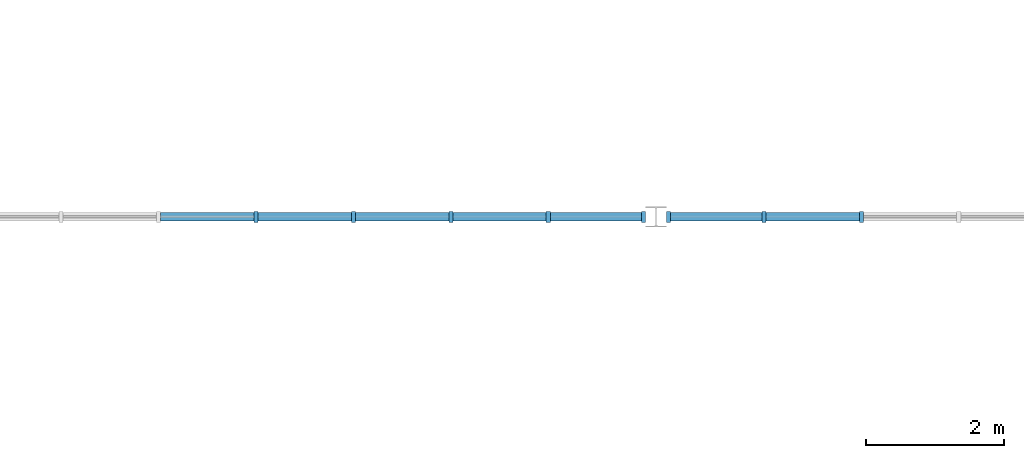
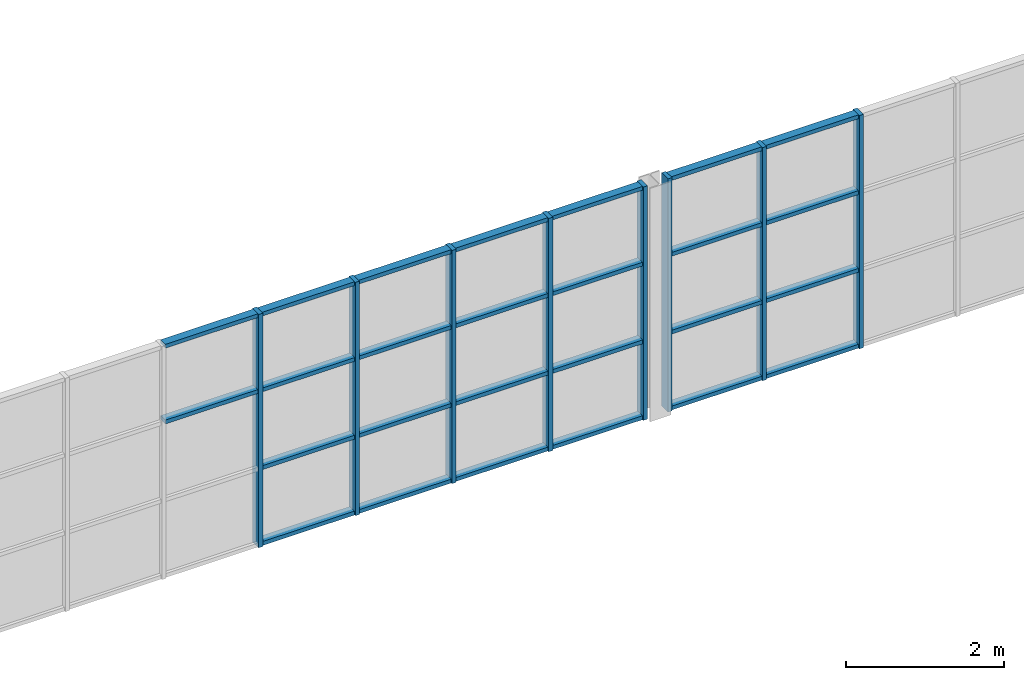
# One storey, part 8 of 70: 34 members, 2 elements without a shape of their own.
"""IFC4 building model written with IfcOpenShell, lengths in metres."""

from ifc_helpers import new_model, si_unit, direction, frame, origin, origin_2d, place, context, subcontext, project, spatial, rectangle, extrude, material, material_profile, profile_set, type_object, element, aggregate, save


model = new_model("IFC4")

# Units and contexts
model_context = context("Model", 3, precision=1e-05, world=origin(), true_north=direction((0.0, 1.0)))
body_context = subcontext(model_context, "Body", "Model", "MODEL_VIEW")
ifc_project = project(units=[si_unit("LENGTHUNIT", "METRE"), si_unit("AREAUNIT", "SQUARE_METRE"), si_unit("VOLUMEUNIT", "CUBIC_METRE"), si_unit("PLANEANGLEUNIT", "RADIAN"), si_unit("MASSUNIT", "GRAM", prefix="KILO")], contexts=[model_context])

# Site, building, storey
site_placement = place(None, origin())
site = spatial("IfcSite", under=ifc_project, at=site_placement, CompositionType="ELEMENT")
building_placement = place(site_placement, origin())
building = spatial("IfcBuilding", under=site, at=building_placement, Name="Elbe Cascade School", CompositionType="ELEMENT")
storey_placement = place(building_placement, frame((0.0, 0.0, 8.10009765625)))
storey = spatial("IfcBuildingStorey", under=building, at=storey_placement, Name="L02", CompositionType="ELEMENT", Elevation=8.10009765625)

# Curtain wall, members
ifc_material_1 = material(Name="Glass - double glazed low-E", Category="glass")
curtain_wall_type = type_object("IfcCurtainWallType", Name="Hall gable curtain wall", PredefinedType="NOTDEFINED", material=ifc_material_1)
curtain_wall_1_placement = place(storey_placement, origin())
curtain_wall_1 = element("IfcCurtainWall", 1, at=curtain_wall_1_placement, inside=storey, type_object=curtain_wall_type, Name="Gable curtain wall S2", PredefinedType="NOTDEFINED")
ifc_material_2 = material(Name="Aluminium - bronze anodised", Category="aluminium")
ifc_material_profile_1 = material_profile(ifc_material_2, rectangle(XDim=0.159912109375, YDim=0.06005859375, at=origin_2d()), Name="Alu 60x160")
ifc_profile_set_1 = profile_set([ifc_material_profile_1], Name="Aluminium - bronze anodised")
member_type_1 = type_object("IfcMemberType", Name="Hall gable mullion 60x160", PredefinedType="MULLION", material=ifc_profile_set_1)
member_1_placement = place(storey_placement, frame((28.20556640625, 41.300048828125, 0.0), z_axis=(0.0, 0.0, 1.0), x_axis=(0.0, 1.0, 0.0)))
member_1 = element("IfcMember", 2, at=member_1_placement, type_object=member_type_1, Name="CW6 mullion 6", PredefinedType="MULLION", context=body_context, shape_type="SweptSolid", body=[
    extrude(rectangle(XDim=0.159912109375, YDim=0.06005859375, at=origin_2d()), origin(), (0.0, 0.0, 1.0), 3.599853515625),
])
member_2_placement = place(storey_placement, frame((29.61669921875, 41.300048828125, 0.0), z_axis=(0.0, 0.0, 1.0), x_axis=(0.0, 1.0, 0.0)))
member_2 = element("IfcMember", 3, at=member_2_placement, type_object=member_type_1, Name="CW6 mullion 7", PredefinedType="MULLION", context=body_context, shape_type="SweptSolid", body=[
    extrude(rectangle(XDim=0.159912109375, YDim=0.06005859375, at=origin_2d()), origin(), (0.0, 0.0, 1.0), 3.599853515625),
])
member_3_placement = place(storey_placement, frame((31.02783203125, 41.300048828125, 0.0), z_axis=(0.0, 0.0, 1.0), x_axis=(0.0, 1.0, 0.0)))
member_3 = element("IfcMember", 4, at=member_3_placement, type_object=member_type_1, Name="CW6 mullion 8", PredefinedType="MULLION", context=body_context, shape_type="SweptSolid", body=[
    extrude(rectangle(XDim=0.159912109375, YDim=0.06005859375, at=origin_2d()), origin(), (0.0, 0.0, 1.0), 3.599853515625),
])
member_4_placement = place(storey_placement, frame((32.43896484375, 41.300048828125, 0.0), z_axis=(0.0, 0.0, 1.0), x_axis=(0.0, 1.0, 0.0)))
member_4 = element("IfcMember", 5, at=member_4_placement, type_object=member_type_1, Name="CW6 mullion 9", PredefinedType="MULLION", context=body_context, shape_type="SweptSolid", body=[
    extrude(rectangle(XDim=0.159912109375, YDim=0.06005859375, at=origin_2d()), origin(), (0.0, 0.0, 1.0), 3.599853515625),
])
member_5_placement = place(storey_placement, frame((33.820068359375, 41.300048828125, 0.0), z_axis=(0.0, 0.0, 1.0), x_axis=(0.0, 1.0, 0.0)))
member_5 = element("IfcMember", 6, at=member_5_placement, type_object=member_type_1, Name="CW6 mullion 10", PredefinedType="MULLION", context=body_context, shape_type="SweptSolid", body=[
    extrude(rectangle(XDim=0.159912109375, YDim=0.06005859375, at=origin_2d()), origin(), (0.0, 0.0, 1.0), 3.599853515625),
])

curtain_wall_2_placement = place(storey_placement, origin())
curtain_wall_2 = element("IfcCurtainWall", 7, at=curtain_wall_2_placement, inside=storey, type_object=curtain_wall_type, Name="Gable curtain wall S3", PredefinedType="NOTDEFINED")
member_6_placement = place(storey_placement, frame((34.179931640625, 41.300048828125, 0.0), z_axis=(0.0, 0.0, 1.0), x_axis=(0.0, 1.0, 0.0)))
member_6 = element("IfcMember", 8, at=member_6_placement, type_object=member_type_1, Name="CW6 mullion 1", PredefinedType="MULLION", context=body_context, shape_type="SweptSolid", body=[
    extrude(rectangle(XDim=0.159912109375, YDim=0.06005859375, at=origin_2d()), origin(), (0.0, 0.0, 1.0), 3.599853515625),
])
member_7_placement = place(storey_placement, frame((35.56103515625, 41.300048828125, 0.0), z_axis=(0.0, 0.0, 1.0), x_axis=(0.0, 1.0, 0.0)))
member_7 = element("IfcMember", 9, at=member_7_placement, type_object=member_type_1, Name="CW6 mullion 2", PredefinedType="MULLION", context=body_context, shape_type="SweptSolid", body=[
    extrude(rectangle(XDim=0.159912109375, YDim=0.06005859375, at=origin_2d()), origin(), (0.0, 0.0, 1.0), 3.599853515625),
])
member_8_placement = place(storey_placement, frame((36.97216796875, 41.300048828125, 0.0), z_axis=(0.0, 0.0, 1.0), x_axis=(0.0, 1.0, 0.0)))
member_8 = element("IfcMember", 10, at=member_8_placement, type_object=member_type_1, Name="CW6 mullion 3", PredefinedType="MULLION", context=body_context, shape_type="SweptSolid", body=[
    extrude(rectangle(XDim=0.159912109375, YDim=0.06005859375, at=origin_2d()), origin(), (0.0, 0.0, 1.0), 3.599853515625),
])

# Member
ifc_material_3 = material(Name="Aluminium - bronze anodised", Category="aluminium")
ifc_material_profile_2 = material_profile(ifc_material_3, rectangle(XDim=0.1201171875, YDim=0.06005859375, at=origin_2d()), Name="Alu 60x120")
ifc_profile_set_2 = profile_set([ifc_material_profile_2], Name="Aluminium - bronze anodised")
member_type_2 = type_object("IfcMemberType", Name="Hall gable transom 60x120", PredefinedType="USERDEFINED", material=ifc_profile_set_2)
member_9_placement = place(storey_placement, frame((26.824462890625, 41.300048828125, 2.39990234375), z_axis=(1.0, 0.0, 0.0), x_axis=(0.0, 1.0, 0.0)))
member_9 = element("IfcMember", 11, at=member_9_placement, type_object=member_type_2, Name="CW6 transom 5.3", ObjectType="TRANSOM", PredefinedType="USERDEFINED", context=body_context, shape_type="SweptSolid", body=[
    extrude(rectangle(XDim=0.1201171875, YDim=0.06005859375, at=origin_2d()), origin(), (0.0, 0.0, 1.0), 1.35107421875),
])

member_10_placement = place(storey_placement, frame((26.824462890625, 41.300048828125, 3.56982421875), z_axis=(1.0, 0.0, 0.0), x_axis=(0.0, 1.0, 0.0)))
member_10 = element("IfcMember", 12, at=member_10_placement, type_object=member_type_2, Name="CW6 transom 5.4", ObjectType="TRANSOM", PredefinedType="USERDEFINED", context=body_context, shape_type="SweptSolid", body=[
    extrude(rectangle(XDim=0.1201171875, YDim=0.06005859375, at=origin_2d()), origin(), (0.0, 0.0, 1.0), 1.35107421875),
])

member_11_placement = place(storey_placement, frame((28.235595703125, 41.300048828125, 0.02978515625), z_axis=(1.0, 0.0, 0.0), x_axis=(0.0, 1.0, 0.0)))
member_11 = element("IfcMember", 13, at=member_11_placement, type_object=member_type_2, Name="CW6 transom 6.1", ObjectType="TRANSOM", PredefinedType="USERDEFINED", context=body_context, shape_type="SweptSolid", body=[
    extrude(rectangle(XDim=0.1201171875, YDim=0.06005859375, at=origin_2d()), origin(), (0.0, 0.0, 1.0), 1.35107421875),
])

member_12_placement = place(storey_placement, frame((28.235595703125, 41.300048828125, 1.199951171875), z_axis=(1.0, 0.0, 0.0), x_axis=(0.0, 1.0, 0.0)))
member_12 = element("IfcMember", 14, at=member_12_placement, type_object=member_type_2, Name="CW6 transom 6.2", ObjectType="TRANSOM", PredefinedType="USERDEFINED", context=body_context, shape_type="SweptSolid", body=[
    extrude(rectangle(XDim=0.1201171875, YDim=0.06005859375, at=origin_2d()), origin(), (0.0, 0.0, 1.0), 1.35107421875),
])

member_13_placement = place(storey_placement, frame((28.235595703125, 41.300048828125, 2.39990234375), z_axis=(1.0, 0.0, 0.0), x_axis=(0.0, 1.0, 0.0)))
member_13 = element("IfcMember", 15, at=member_13_placement, type_object=member_type_2, Name="CW6 transom 6.3", ObjectType="TRANSOM", PredefinedType="USERDEFINED", context=body_context, shape_type="SweptSolid", body=[
    extrude(rectangle(XDim=0.1201171875, YDim=0.06005859375, at=origin_2d()), origin(), (0.0, 0.0, 1.0), 1.35107421875),
])

member_14_placement = place(storey_placement, frame((28.235595703125, 41.300048828125, 3.56982421875), z_axis=(1.0, 0.0, 0.0), x_axis=(0.0, 1.0, 0.0)))
member_14 = element("IfcMember", 16, at=member_14_placement, type_object=member_type_2, Name="CW6 transom 6.4", ObjectType="TRANSOM", PredefinedType="USERDEFINED", context=body_context, shape_type="SweptSolid", body=[
    extrude(rectangle(XDim=0.1201171875, YDim=0.06005859375, at=origin_2d()), origin(), (0.0, 0.0, 1.0), 1.35107421875),
])

member_15_placement = place(storey_placement, frame((29.646728515625, 41.300048828125, 0.02978515625), z_axis=(1.0, 0.0, 0.0), x_axis=(0.0, 1.0, 0.0)))
member_15 = element("IfcMember", 17, at=member_15_placement, type_object=member_type_2, Name="CW6 transom 7.1", ObjectType="TRANSOM", PredefinedType="USERDEFINED", context=body_context, shape_type="SweptSolid", body=[
    extrude(rectangle(XDim=0.1201171875, YDim=0.06005859375, at=origin_2d()), origin(), (0.0, 0.0, 1.0), 1.35107421875),
])

member_16_placement = place(storey_placement, frame((29.646728515625, 41.300048828125, 1.199951171875), z_axis=(1.0, 0.0, 0.0), x_axis=(0.0, 1.0, 0.0)))
member_16 = element("IfcMember", 18, at=member_16_placement, type_object=member_type_2, Name="CW6 transom 7.2", ObjectType="TRANSOM", PredefinedType="USERDEFINED", context=body_context, shape_type="SweptSolid", body=[
    extrude(rectangle(XDim=0.1201171875, YDim=0.06005859375, at=origin_2d()), origin(), (0.0, 0.0, 1.0), 1.35107421875),
])

member_17_placement = place(storey_placement, frame((29.646728515625, 41.300048828125, 2.39990234375), z_axis=(1.0, 0.0, 0.0), x_axis=(0.0, 1.0, 0.0)))
member_17 = element("IfcMember", 19, at=member_17_placement, type_object=member_type_2, Name="CW6 transom 7.3", ObjectType="TRANSOM", PredefinedType="USERDEFINED", context=body_context, shape_type="SweptSolid", body=[
    extrude(rectangle(XDim=0.1201171875, YDim=0.06005859375, at=origin_2d()), origin(), (0.0, 0.0, 1.0), 1.35107421875),
])

member_18_placement = place(storey_placement, frame((29.646728515625, 41.300048828125, 3.56982421875), z_axis=(1.0, 0.0, 0.0), x_axis=(0.0, 1.0, 0.0)))
member_18 = element("IfcMember", 20, at=member_18_placement, type_object=member_type_2, Name="CW6 transom 7.4", ObjectType="TRANSOM", PredefinedType="USERDEFINED", context=body_context, shape_type="SweptSolid", body=[
    extrude(rectangle(XDim=0.1201171875, YDim=0.06005859375, at=origin_2d()), origin(), (0.0, 0.0, 1.0), 1.35107421875),
])

member_19_placement = place(storey_placement, frame((31.057861328125, 41.300048828125, 0.02978515625), z_axis=(1.0, 0.0, 0.0), x_axis=(0.0, 1.0, 0.0)))
member_19 = element("IfcMember", 21, at=member_19_placement, type_object=member_type_2, Name="CW6 transom 8.1", ObjectType="TRANSOM", PredefinedType="USERDEFINED", context=body_context, shape_type="SweptSolid", body=[
    extrude(rectangle(XDim=0.1201171875, YDim=0.06005859375, at=origin_2d()), origin(), (0.0, 0.0, 1.0), 1.35107421875),
])

member_20_placement = place(storey_placement, frame((31.057861328125, 41.300048828125, 1.199951171875), z_axis=(1.0, 0.0, 0.0), x_axis=(0.0, 1.0, 0.0)))
member_20 = element("IfcMember", 22, at=member_20_placement, type_object=member_type_2, Name="CW6 transom 8.2", ObjectType="TRANSOM", PredefinedType="USERDEFINED", context=body_context, shape_type="SweptSolid", body=[
    extrude(rectangle(XDim=0.1201171875, YDim=0.06005859375, at=origin_2d()), origin(), (0.0, 0.0, 1.0), 1.35107421875),
])

member_21_placement = place(storey_placement, frame((31.057861328125, 41.300048828125, 2.39990234375), z_axis=(1.0, 0.0, 0.0), x_axis=(0.0, 1.0, 0.0)))
member_21 = element("IfcMember", 23, at=member_21_placement, type_object=member_type_2, Name="CW6 transom 8.3", ObjectType="TRANSOM", PredefinedType="USERDEFINED", context=body_context, shape_type="SweptSolid", body=[
    extrude(rectangle(XDim=0.1201171875, YDim=0.06005859375, at=origin_2d()), origin(), (0.0, 0.0, 1.0), 1.35107421875),
])

member_22_placement = place(storey_placement, frame((31.057861328125, 41.300048828125, 3.56982421875), z_axis=(1.0, 0.0, 0.0), x_axis=(0.0, 1.0, 0.0)))
member_22 = element("IfcMember", 24, at=member_22_placement, type_object=member_type_2, Name="CW6 transom 8.4", ObjectType="TRANSOM", PredefinedType="USERDEFINED", context=body_context, shape_type="SweptSolid", body=[
    extrude(rectangle(XDim=0.1201171875, YDim=0.06005859375, at=origin_2d()), origin(), (0.0, 0.0, 1.0), 1.35107421875),
])

member_23_placement = place(storey_placement, frame((32.468994140625, 41.300048828125, 0.02978515625), z_axis=(1.0, 0.0, 0.0), x_axis=(0.0, 1.0, 0.0)))
member_23 = element("IfcMember", 25, at=member_23_placement, type_object=member_type_2, Name="CW6 transom 9.1", ObjectType="TRANSOM", PredefinedType="USERDEFINED", context=body_context, shape_type="SweptSolid", body=[
    extrude(rectangle(XDim=0.1201171875, YDim=0.06005859375, at=origin_2d()), origin(), (0.0, 0.0, 1.0), 1.321044921875),
])

member_24_placement = place(storey_placement, frame((32.468994140625, 41.300048828125, 1.199951171875), z_axis=(1.0, 0.0, 0.0), x_axis=(0.0, 1.0, 0.0)))
member_24 = element("IfcMember", 26, at=member_24_placement, type_object=member_type_2, Name="CW6 transom 9.2", ObjectType="TRANSOM", PredefinedType="USERDEFINED", context=body_context, shape_type="SweptSolid", body=[
    extrude(rectangle(XDim=0.1201171875, YDim=0.06005859375, at=origin_2d()), origin(), (0.0, 0.0, 1.0), 1.321044921875),
])

member_25_placement = place(storey_placement, frame((32.468994140625, 41.300048828125, 2.39990234375), z_axis=(1.0, 0.0, 0.0), x_axis=(0.0, 1.0, 0.0)))
member_25 = element("IfcMember", 27, at=member_25_placement, type_object=member_type_2, Name="CW6 transom 9.3", ObjectType="TRANSOM", PredefinedType="USERDEFINED", context=body_context, shape_type="SweptSolid", body=[
    extrude(rectangle(XDim=0.1201171875, YDim=0.06005859375, at=origin_2d()), origin(), (0.0, 0.0, 1.0), 1.321044921875),
])

member_26_placement = place(storey_placement, frame((32.468994140625, 41.300048828125, 3.56982421875), z_axis=(1.0, 0.0, 0.0), x_axis=(0.0, 1.0, 0.0)))
member_26 = element("IfcMember", 28, at=member_26_placement, type_object=member_type_2, Name="CW6 transom 9.4", ObjectType="TRANSOM", PredefinedType="USERDEFINED", context=body_context, shape_type="SweptSolid", body=[
    extrude(rectangle(XDim=0.1201171875, YDim=0.06005859375, at=origin_2d()), origin(), (0.0, 0.0, 1.0), 1.321044921875),
])

aggregate(curtain_wall_1, [member_1, member_2, member_3, member_4, member_5, member_9, member_10, member_11, member_12, member_13, member_14, member_15, member_16, member_17, member_18, member_19, member_20, member_21, member_22, member_23, member_24, member_25, member_26])

member_27_placement = place(storey_placement, frame((34.2099609375, 41.300048828125, 0.02978515625), z_axis=(1.0, 0.0, 0.0), x_axis=(0.0, 1.0, 0.0)))
member_27 = element("IfcMember", 29, at=member_27_placement, type_object=member_type_2, Name="CW6 transom 1.1", ObjectType="TRANSOM", PredefinedType="USERDEFINED", context=body_context, shape_type="SweptSolid", body=[
    extrude(rectangle(XDim=0.1201171875, YDim=0.06005859375, at=origin_2d()), origin(), (0.0, 0.0, 1.0), 1.321044921875),
])

member_28_placement = place(storey_placement, frame((34.2099609375, 41.300048828125, 1.199951171875), z_axis=(1.0, 0.0, 0.0), x_axis=(0.0, 1.0, 0.0)))
member_28 = element("IfcMember", 30, at=member_28_placement, type_object=member_type_2, Name="CW6 transom 1.2", ObjectType="TRANSOM", PredefinedType="USERDEFINED", context=body_context, shape_type="SweptSolid", body=[
    extrude(rectangle(XDim=0.1201171875, YDim=0.06005859375, at=origin_2d()), origin(), (0.0, 0.0, 1.0), 1.321044921875),
])

member_29_placement = place(storey_placement, frame((34.2099609375, 41.300048828125, 2.39990234375), z_axis=(1.0, 0.0, 0.0), x_axis=(0.0, 1.0, 0.0)))
member_29 = element("IfcMember", 31, at=member_29_placement, type_object=member_type_2, Name="CW6 transom 1.3", ObjectType="TRANSOM", PredefinedType="USERDEFINED", context=body_context, shape_type="SweptSolid", body=[
    extrude(rectangle(XDim=0.1201171875, YDim=0.06005859375, at=origin_2d()), origin(), (0.0, 0.0, 1.0), 1.321044921875),
])

member_30_placement = place(storey_placement, frame((34.2099609375, 41.300048828125, 3.56982421875), z_axis=(1.0, 0.0, 0.0), x_axis=(0.0, 1.0, 0.0)))
member_30 = element("IfcMember", 32, at=member_30_placement, type_object=member_type_2, Name="CW6 transom 1.4", ObjectType="TRANSOM", PredefinedType="USERDEFINED", context=body_context, shape_type="SweptSolid", body=[
    extrude(rectangle(XDim=0.1201171875, YDim=0.06005859375, at=origin_2d()), origin(), (0.0, 0.0, 1.0), 1.321044921875),
])

member_31_placement = place(storey_placement, frame((35.591064453125, 41.300048828125, 0.02978515625), z_axis=(1.0, 0.0, 0.0), x_axis=(0.0, 1.0, 0.0)))
member_31 = element("IfcMember", 33, at=member_31_placement, type_object=member_type_2, Name="CW6 transom 2.1", ObjectType="TRANSOM", PredefinedType="USERDEFINED", context=body_context, shape_type="SweptSolid", body=[
    extrude(rectangle(XDim=0.1201171875, YDim=0.06005859375, at=origin_2d()), origin(), (0.0, 0.0, 1.0), 1.35107421875),
])

member_32_placement = place(storey_placement, frame((35.591064453125, 41.300048828125, 1.199951171875), z_axis=(1.0, 0.0, 0.0), x_axis=(0.0, 1.0, 0.0)))
member_32 = element("IfcMember", 34, at=member_32_placement, type_object=member_type_2, Name="CW6 transom 2.2", ObjectType="TRANSOM", PredefinedType="USERDEFINED", context=body_context, shape_type="SweptSolid", body=[
    extrude(rectangle(XDim=0.1201171875, YDim=0.06005859375, at=origin_2d()), origin(), (0.0, 0.0, 1.0), 1.35107421875),
])

member_33_placement = place(storey_placement, frame((35.591064453125, 41.300048828125, 2.39990234375), z_axis=(1.0, 0.0, 0.0), x_axis=(0.0, 1.0, 0.0)))
member_33 = element("IfcMember", 35, at=member_33_placement, type_object=member_type_2, Name="CW6 transom 2.3", ObjectType="TRANSOM", PredefinedType="USERDEFINED", context=body_context, shape_type="SweptSolid", body=[
    extrude(rectangle(XDim=0.1201171875, YDim=0.06005859375, at=origin_2d()), origin(), (0.0, 0.0, 1.0), 1.35107421875),
])

member_34_placement = place(storey_placement, frame((35.591064453125, 41.300048828125, 3.56982421875), z_axis=(1.0, 0.0, 0.0), x_axis=(0.0, 1.0, 0.0)))
member_34 = element("IfcMember", 36, at=member_34_placement, type_object=member_type_2, Name="CW6 transom 2.4", ObjectType="TRANSOM", PredefinedType="USERDEFINED", context=body_context, shape_type="SweptSolid", body=[
    extrude(rectangle(XDim=0.1201171875, YDim=0.06005859375, at=origin_2d()), origin(), (0.0, 0.0, 1.0), 1.35107421875),
])

aggregate(curtain_wall_2, [member_6, member_7, member_8, member_27, member_28, member_29, member_30, member_31, member_32, member_33, member_34])

save(model, "model.ifc")
